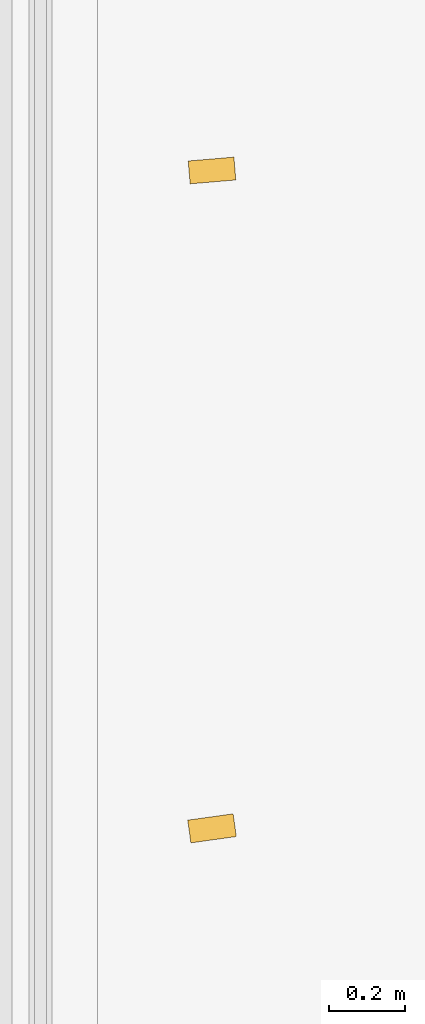
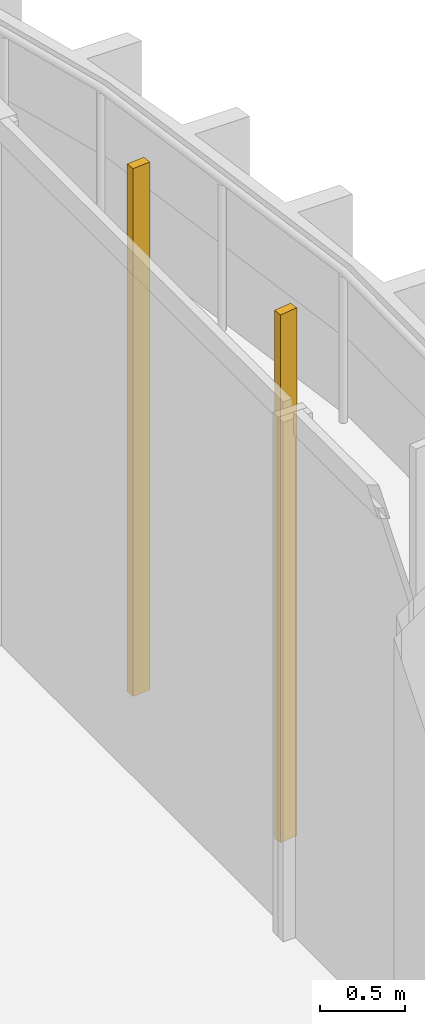
# One storey, part 24 of 26: 2 shading devices.
"""IFC4 building model written with IfcOpenShell, lengths in metres."""

from ifc_helpers import new_model, si_unit, direction, frame, origin, origin_2d, place, context, subcontext, project, spatial, rectangle, extrude, source, transform, mapped, material, material_profile, profile_set, type_object, element, save


model = new_model("IFC4")

# Units and contexts
model_context = context("Model", 3, precision=1e-05, world=origin(), true_north=direction((0.0, 1.0)))
body_context = subcontext(model_context, "Body", "Model", "MODEL_VIEW")
ifc_project = project(units=[si_unit("LENGTHUNIT", "METRE"), si_unit("AREAUNIT", "SQUARE_METRE"), si_unit("VOLUMEUNIT", "CUBIC_METRE"), si_unit("PLANEANGLEUNIT", "RADIAN"), si_unit("MASSUNIT", "GRAM", prefix="KILO")], contexts=[model_context])

# Site, building, storey
site_placement = place(None, origin())
site = spatial("IfcSite", under=ifc_project, at=site_placement, CompositionType="ELEMENT")
building_placement = place(site_placement, origin())
building = spatial("IfcBuilding", under=site, at=building_placement, Name="Kilnfold Tower and Market Hall", CompositionType="ELEMENT")
storey_placement = place(building_placement, frame((0.0, 0.0, 108.60009765625)))
storey = spatial("IfcBuildingStorey", under=building, at=storey_placement, Name="L25", CompositionType="ELEMENT", Elevation=108.60009765625)

# Shading devices
ifc_material = material(Name="Terracotta", Category="masonry")
ifc_material_profile = material_profile(ifc_material, rectangle(XDim=0.06005859375, YDim=0.1201171875, at=origin_2d()), Name="BAG 60x120")
ifc_profile_set = profile_set([ifc_material_profile], Name="Terracotta")
shading_device_type = type_object("IfcShadingDeviceType", Name="BAGUETTE", PredefinedType="USERDEFINED", material=ifc_profile_set)
shared_shape = source(origin(), body_context, "Body", "SweptSolid", [
    extrude(rectangle(XDim=0.06005859375, YDim=0.1201171875, at=origin_2d()), origin(), (0.0, 0.0, 1.0), 3.77978515625),
])
for number, where, z_axis, x_axis, name in (
    (1, (33.300048828125, 4.987548828125, 0.0), (0.0, 0.0, 1.0), (-0.137648537407, 0.990481135686, 0.0), "Terracotta baguette L25 E"),
    (2, (33.300048828125, 6.71240234375, 0.0), (0.0, 0.0, 1.0), (-0.084173507279, 0.996451113037, 0.0), "Terracotta baguette L25 E"),
):
    element("IfcShadingDevice", number, at=place(storey_placement, frame(where, z_axis=z_axis, x_axis=x_axis)), inside=storey, type_object=shading_device_type, Name=name, ObjectType="BAGUETTE", PredefinedType="USERDEFINED", context=body_context, shape_type="MappedRepresentation", body=[
        mapped(shared_shape, transform((0.0, 0.0, 0.0))),
    ])

save(model, "model.ifc")
